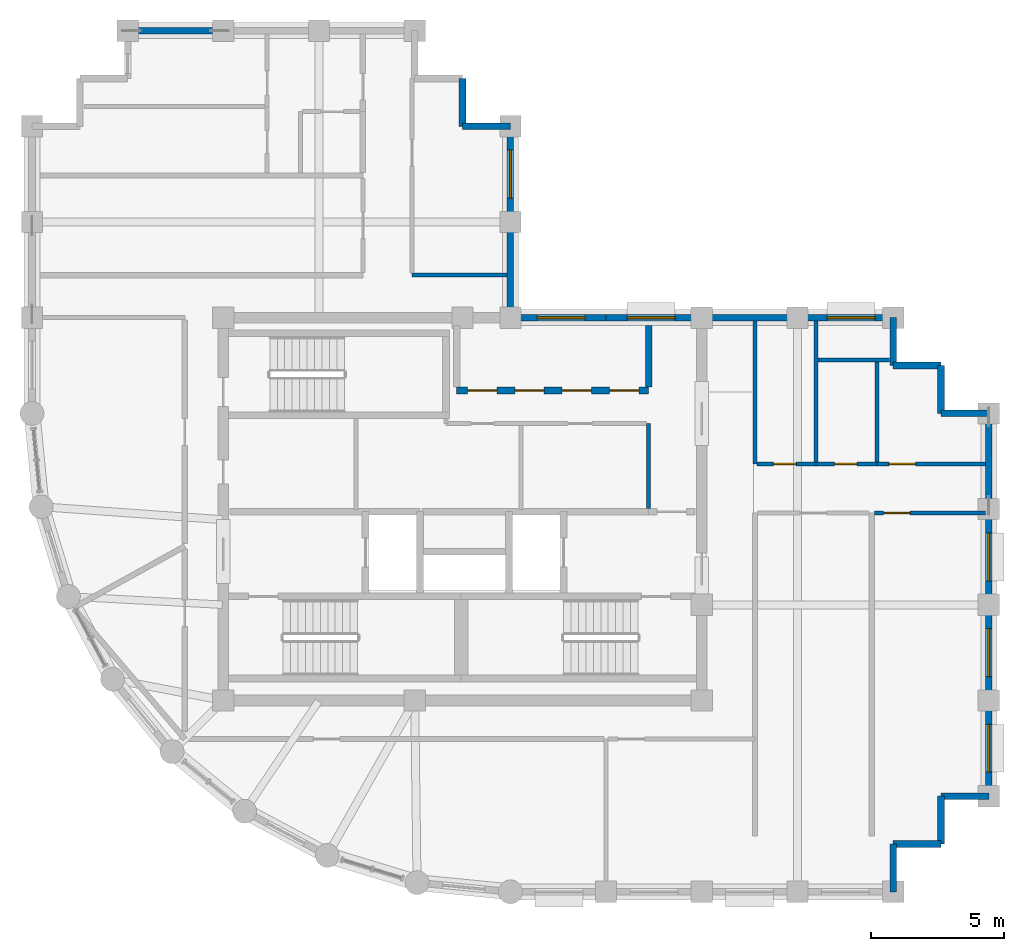
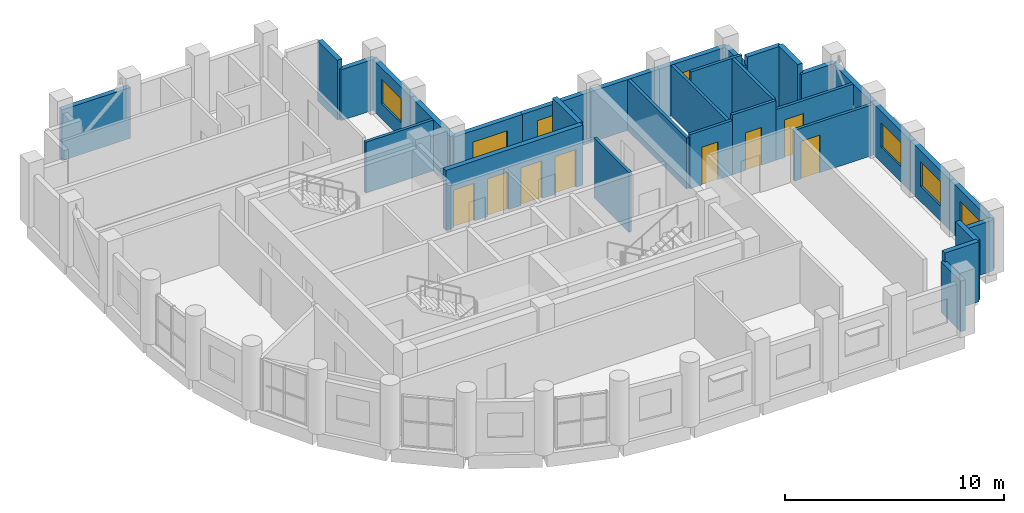
# One storey, part 9 of 11: 33 walls, 8 doors, 7 windows, 15 openings.
"""IFC4 building model written with IfcOpenShell, lengths in metres."""

from ifc_helpers import new_model, si_unit, direction, frame, frame_2d, origin, place, context, subcontext, project, spatial, rectangle, extrude, material, layer, layer_set, type_object, element, fill, save


model = new_model("IFC4")

# Units and contexts
model_context = context("Model", 3, precision=1e-05, world=origin(), true_north=direction((0.0, 1.0)))
body_context = subcontext(model_context, "Body", "Model", "MODEL_VIEW")
ifc_project = project(units=[si_unit("LENGTHUNIT", "METRE"), si_unit("AREAUNIT", "SQUARE_METRE"), si_unit("VOLUMEUNIT", "CUBIC_METRE"), si_unit("PLANEANGLEUNIT", "RADIAN"), si_unit("MASSUNIT", "GRAM", prefix="KILO")], contexts=[model_context])

# Site, building, storey
site_placement = place(None, origin())
site = spatial("IfcSite", under=ifc_project, at=site_placement, CompositionType="ELEMENT")
building_placement = place(site_placement, origin())
building = spatial("IfcBuilding", under=site, at=building_placement, Name="Solnavia Interchange Tower", CompositionType="ELEMENT")
storey_placement = place(building_placement, frame((0.0, 0.0, 273.800048828125)))
storey = spatial("IfcBuildingStorey", under=building, at=storey_placement, Name="L69", CompositionType="ELEMENT", Elevation=273.800048828125)

# Walls
ifc_material_1 = material(Name="Concrete C40/50", Category="concrete")
ifc_layer_1 = layer(ifc_material_1, 0.25)
ifc_layer_set_1 = layer_set([ifc_layer_1], Name="Concrete C40/50")
wall_type_1 = type_object("IfcWallType", Name="Wall-ExtSpandrel-250", PredefinedType="STANDARD", material=ifc_layer_set_1)
wall_1_placement = place(storey_placement, frame((39.60009765625, 5.39990234375, 0.0), z_axis=(0.0, 0.0, 1.0), x_axis=(0.0, -1.0, 0.0)))
element("IfcWall", 1, at=wall_1_placement, inside=storey, type_object=wall_type_1, Name="EXW-L69-05 Exterior precast spandrel wall", PredefinedType="STANDARD", context=body_context, shape_type="SweptSolid", body=[
    extrude(rectangle(XDim=1.7998046875, YDim=0.25, at=frame_2d((0.89990234375, 0.0))), origin(), (0.0, 0.0, 1.0), 2.829833984375),
])
wall_2_placement = place(storey_placement, frame((41.39990234375, 5.39990234375, 0.0), z_axis=(0.0, 0.0, 1.0), x_axis=(-1.0, 0.0, 0.0)))
element("IfcWall", 2, at=wall_2_placement, inside=storey, type_object=wall_type_1, Name="EXW-L69-06 Exterior precast spandrel wall", PredefinedType="STANDARD", context=body_context, shape_type="SweptSolid", body=[
    extrude(rectangle(XDim=1.7998046875, YDim=0.25, at=frame_2d((0.89990234375, 0.0))), origin(), (0.0, 0.0, 1.0), 3.3349609375),
])
wall_3_placement = place(storey_placement, frame((41.39990234375, 7.199951171875, 0.0), z_axis=(0.0, 0.0, 1.0), x_axis=(0.0, -1.0, 0.0)))
element("IfcWall", 3, at=wall_3_placement, inside=storey, type_object=wall_type_1, Name="EXW-L69-07 Exterior precast spandrel wall", PredefinedType="STANDARD", context=body_context, shape_type="SweptSolid", body=[
    extrude(rectangle(XDim=1.800048828125, YDim=0.25, at=frame_2d((0.89990234375, 0.0))), origin(), (0.0, 0.0, 1.0), 3.3349609375),
])
wall_4_placement = place(storey_placement, frame((43.199951171875, 7.199951171875, 0.0), z_axis=(0.0, 0.0, 1.0), x_axis=(-1.0, 0.0, 0.0)))
element("IfcWall", 4, at=wall_4_placement, inside=storey, type_object=wall_type_1, Name="EXW-L69-08 Exterior precast spandrel wall", PredefinedType="STANDARD", context=body_context, shape_type="SweptSolid", body=[
    extrude(rectangle(XDim=1.800048828125, YDim=0.25, at=frame_2d((0.89990234375, 0.0))), origin(), (0.0, 0.0, 1.0), 2.829833984375),
])

# Wall, opening, window
wall_5_placement = place(storey_placement, frame((43.199951171875, 10.800048828125, 0.0), z_axis=(0.0, 0.0, 1.0), x_axis=(0.0, -1.0, 0.0)))
wall_5 = element("IfcWall", 5, at=wall_5_placement, inside=storey, type_object=wall_type_1, Name="EXW-L69-09 Exterior precast spandrel wall", PredefinedType="STANDARD", context=body_context, shape_type="SweptSolid", body=[
    extrude(rectangle(XDim=3.60009765625, YDim=0.25, at=frame_2d((1.800048828125, 0.0))), origin(), (0.0, 0.0, 1.0), 2.829833984375),
])
opening_1_placement = place(wall_5_placement, frame((0.89990234375, 0.0, 0.85009765625)))
opening_1 = element("IfcOpeningElement", 6, at=opening_1_placement, cuts=wall_5, Name="Opening WIN-02", PredefinedType="OPENING", context=body_context, shape_type="SweptSolid", body=[
    extrude(rectangle(XDim=1.800048828125, YDim=1.35009765625, at=frame_2d((0.89990234375, 0.675048828125))), frame((0.0, 0.135009765625, 0.0), z_axis=(0.0, -1.0, 0.0), x_axis=(1.0, 0.0, 0.0)), (0.0, 0.0, 1.0), 0.27001953125),
])
ifc_material_2 = material(Name="Thermal-Break Aluminium & Low-E Glass", Category="aluminium")
window_type = type_object("IfcWindowType", Name="Window-Ribbon-1800x1350", PartitioningType="SINGLE_PANEL", PredefinedType="WINDOW", material=ifc_material_2)
window_1_placement = place(opening_1_placement, origin())
window_1 = element("IfcWindow", 7, at=window_1_placement, inside=storey, type_object=window_type, Name="WIN-L69-09 Facade ribbon window", OverallHeight=1.35009765625, OverallWidth=1.800048828125, PartitioningType="SINGLE_PANEL", PredefinedType="WINDOW", context=body_context, shape_type="SweptSolid", body=[
    extrude(rectangle(XDim=1.800048828125, YDim=1.35009765625, at=frame_2d((0.89990234375, 0.675048828125))), frame((0.0, 0.030029296875, 0.0), z_axis=(0.0, -1.0, 0.0), x_axis=(1.0, 0.0, 0.0)), (0.0, 0.0, 1.0), 0.06005859375),
])
fill(opening_1, window_1)

wall_6_placement = place(storey_placement, frame((43.199951171875, 14.39990234375, 0.0), z_axis=(0.0, 0.0, 1.0), x_axis=(0.0, -1.0, 0.0)))
wall_6 = element("IfcWall", 8, at=wall_6_placement, inside=storey, type_object=wall_type_1, Name="EXW-L69-10 Exterior precast spandrel wall", PredefinedType="STANDARD", context=body_context, shape_type="SweptSolid", body=[
    extrude(rectangle(XDim=3.599853515625, YDim=0.25, at=frame_2d((1.7998046875, 0.0))), origin(), (0.0, 0.0, 1.0), 2.829833984375),
])
opening_2_placement = place(wall_6_placement, frame((0.89990234375, 0.0, 0.85009765625)))
opening_2 = element("IfcOpeningElement", 9, at=opening_2_placement, cuts=wall_6, Name="Opening WIN-02", PredefinedType="OPENING", context=body_context, shape_type="SweptSolid", body=[
    extrude(rectangle(XDim=1.800048828125, YDim=1.35009765625, at=frame_2d((0.89990234375, 0.675048828125))), frame((0.0, 0.135009765625, 0.0), z_axis=(0.0, -1.0, 0.0), x_axis=(1.0, 0.0, 0.0)), (0.0, 0.0, 1.0), 0.27001953125),
])
window_2_placement = place(opening_2_placement, origin())
window_2 = element("IfcWindow", 10, at=window_2_placement, inside=storey, type_object=window_type, Name="WIN-L69-10 Facade ribbon window", OverallHeight=1.35009765625, OverallWidth=1.800048828125, PartitioningType="SINGLE_PANEL", PredefinedType="WINDOW", context=body_context, shape_type="SweptSolid", body=[
    extrude(rectangle(XDim=1.800048828125, YDim=1.35009765625, at=frame_2d((0.89990234375, 0.675048828125))), frame((0.0, 0.030029296875, 0.0), z_axis=(0.0, -1.0, 0.0), x_axis=(1.0, 0.0, 0.0)), (0.0, 0.0, 1.0), 0.06005859375),
])
fill(opening_2, window_2)

wall_7_placement = place(storey_placement, frame((43.199951171875, 18.0, 0.0), z_axis=(0.0, 0.0, 1.0), x_axis=(0.0, -1.0, 0.0)))
wall_7 = element("IfcWall", 11, at=wall_7_placement, inside=storey, type_object=wall_type_1, Name="EXW-L69-11 Exterior precast spandrel wall", PredefinedType="STANDARD", context=body_context, shape_type="SweptSolid", body=[
    extrude(rectangle(XDim=3.60009765625, YDim=0.25, at=frame_2d((1.800048828125, 0.0))), origin(), (0.0, 0.0, 1.0), 2.829833984375),
])
opening_3_placement = place(wall_7_placement, frame((0.89990234375, 0.0, 0.85009765625)))
opening_3 = element("IfcOpeningElement", 12, at=opening_3_placement, cuts=wall_7, Name="Opening WIN-02", PredefinedType="OPENING", context=body_context, shape_type="SweptSolid", body=[
    extrude(rectangle(XDim=1.800048828125, YDim=1.35009765625, at=frame_2d((0.89990234375, 0.675048828125))), frame((0.0, 0.135009765625, 0.0), z_axis=(0.0, -1.0, 0.0), x_axis=(1.0, 0.0, 0.0)), (0.0, 0.0, 1.0), 0.27001953125),
])
window_3_placement = place(opening_3_placement, origin())
window_3 = element("IfcWindow", 13, at=window_3_placement, inside=storey, type_object=window_type, Name="WIN-L69-11 Facade ribbon window", OverallHeight=1.35009765625, OverallWidth=1.800048828125, PartitioningType="SINGLE_PANEL", PredefinedType="WINDOW", context=body_context, shape_type="SweptSolid", body=[
    extrude(rectangle(XDim=1.800048828125, YDim=1.35009765625, at=frame_2d((0.89990234375, 0.675048828125))), frame((0.0, 0.030029296875, 0.0), z_axis=(0.0, -1.0, 0.0), x_axis=(1.0, 0.0, 0.0)), (0.0, 0.0, 1.0), 0.06005859375),
])
fill(opening_3, window_3)

# Walls
wall_8_placement = place(storey_placement, frame((43.199951171875, 21.60009765625, 0.0), z_axis=(0.0, 0.0, 1.0), x_axis=(0.0, -1.0, 0.0)))
element("IfcWall", 14, at=wall_8_placement, inside=storey, type_object=wall_type_1, Name="EXW-L69-12 Exterior precast spandrel wall", PredefinedType="STANDARD", context=body_context, shape_type="SweptSolid", body=[
    extrude(rectangle(XDim=3.60009765625, YDim=0.25, at=frame_2d((1.800048828125, 0.0))), origin(), (0.0, 0.0, 1.0), 2.829833984375),
])
wall_9_placement = place(storey_placement, frame((41.39990234375, 21.60009765625, 0.0), z_axis=(0.0, 0.0, 1.0), x_axis=(1.0, 0.0, 0.0)))
element("IfcWall", 15, at=wall_9_placement, inside=storey, type_object=wall_type_1, Name="EXW-L69-13 Exterior precast spandrel wall", PredefinedType="STANDARD", context=body_context, shape_type="SweptSolid", body=[
    extrude(rectangle(XDim=1.800048828125, YDim=0.25, at=frame_2d((0.89990234375, 0.0))), origin(), (0.0, 0.0, 1.0), 2.829833984375),
])
for number, where, z_axis, x_axis, name in (
    (16, (41.39990234375, 23.39990234375, 0.0), (0.0, 0.0, 1.0), (0.0, -1.0, 0.0), "EXW-L69-14 Exterior precast spandrel wall"),
    (17, (39.60009765625, 23.39990234375, 0.0), (0.0, 0.0, 1.0), (1.0, 0.0, 0.0), "EXW-L69-15 Exterior precast spandrel wall"),
):
    element("IfcWall", number, at=place(storey_placement, frame(where, z_axis=z_axis, x_axis=x_axis)), inside=storey, type_object=wall_type_1, Name=name, PredefinedType="STANDARD", context=body_context, shape_type="SweptSolid", body=[
        extrude(rectangle(XDim=1.7998046875, YDim=0.25, at=frame_2d((0.89990234375, 0.0))), origin(), (0.0, 0.0, 1.0), 3.3349609375),
    ])
wall_10_placement = place(storey_placement, frame((39.60009765625, 25.199951171875, 0.0), z_axis=(0.0, 0.0, 1.0), x_axis=(0.0, -1.0, 0.0)))
element("IfcWall", 18, at=wall_10_placement, inside=storey, type_object=wall_type_1, Name="EXW-L69-16 Exterior precast spandrel wall", PredefinedType="STANDARD", context=body_context, shape_type="SweptSolid", body=[
    extrude(rectangle(XDim=1.800048828125, YDim=0.25, at=frame_2d((0.89990234375, 0.0))), origin(), (0.0, 0.0, 1.0), 2.829833984375),
])

# Wall, opening, window
wall_11_placement = place(storey_placement, frame((36.0, 25.199951171875, 0.0), z_axis=(0.0, 0.0, 1.0), x_axis=(1.0, 0.0, 0.0)))
wall_11 = element("IfcWall", 19, at=wall_11_placement, inside=storey, type_object=wall_type_1, Name="EXW-L69-17 Exterior precast spandrel wall", PredefinedType="STANDARD", context=body_context, shape_type="SweptSolid", body=[
    extrude(rectangle(XDim=3.60009765625, YDim=0.25, at=frame_2d((1.800048828125, 0.0))), origin(), (0.0, 0.0, 1.0), 2.829833984375),
])
opening_4_placement = place(wall_11_placement, frame((1.1201171875, 0.0, 0.85009765625)))
opening_4 = element("IfcOpeningElement", 20, at=opening_4_placement, cuts=wall_11, Name="Opening WIN-02", PredefinedType="OPENING", context=body_context, shape_type="SweptSolid", body=[
    extrude(rectangle(XDim=1.800048828125, YDim=1.35009765625, at=frame_2d((0.89990234375, 0.675048828125))), frame((0.0, 0.135009765625, 0.0), z_axis=(0.0, -1.0, 0.0), x_axis=(1.0, 0.0, 0.0)), (0.0, 0.0, 1.0), 0.27001953125),
])
window_4_placement = place(opening_4_placement, origin())
window_4 = element("IfcWindow", 21, at=window_4_placement, inside=storey, type_object=window_type, Name="WIN-L69-17 Facade ribbon window", OverallHeight=1.35009765625, OverallWidth=1.800048828125, PartitioningType="SINGLE_PANEL", PredefinedType="WINDOW", context=body_context, shape_type="SweptSolid", body=[
    extrude(rectangle(XDim=1.800048828125, YDim=1.35009765625, at=frame_2d((0.89990234375, 0.675048828125))), frame((0.0, 0.030029296875, 0.0), z_axis=(0.0, -1.0, 0.0), x_axis=(1.0, 0.0, 0.0)), (0.0, 0.0, 1.0), 0.06005859375),
])
fill(opening_4, window_4)

# Wall
wall_12_placement = place(storey_placement, frame((32.39990234375, 25.199951171875, 0.0), z_axis=(0.0, 0.0, 1.0), x_axis=(1.0, 0.0, 0.0)))
element("IfcWall", 22, at=wall_12_placement, inside=storey, type_object=wall_type_1, Name="EXW-L69-18 Exterior precast spandrel wall", PredefinedType="STANDARD", context=body_context, shape_type="SweptSolid", body=[
    extrude(rectangle(XDim=3.60009765625, YDim=0.25, at=frame_2d((1.800048828125, 0.0))), origin(), (0.0, 0.0, 1.0), 2.829833984375),
])

# Wall, opening, window
wall_13_placement = place(storey_placement, frame((28.800048828125, 25.199951171875, 0.0), z_axis=(0.0, 0.0, 1.0), x_axis=(1.0, 0.0, 0.0)))
wall_13 = element("IfcWall", 23, at=wall_13_placement, inside=storey, type_object=wall_type_1, Name="EXW-L69-19 Exterior precast spandrel wall", PredefinedType="STANDARD", context=body_context, shape_type="SweptSolid", body=[
    extrude(rectangle(XDim=3.599853515625, YDim=0.25, at=frame_2d((1.7998046875, 0.0))), origin(), (0.0, 0.0, 1.0), 2.829833984375),
])
opening_5_placement = place(wall_13_placement, frame((0.794921875, 0.0, 0.85009765625)))
opening_5 = element("IfcOpeningElement", 24, at=opening_5_placement, cuts=wall_13, Name="Opening WIN-02", PredefinedType="OPENING", context=body_context, shape_type="SweptSolid", body=[
    extrude(rectangle(XDim=1.800048828125, YDim=1.35009765625, at=frame_2d((0.89990234375, 0.675048828125))), frame((0.0, 0.135009765625, 0.0), z_axis=(0.0, -1.0, 0.0), x_axis=(1.0, 0.0, 0.0)), (0.0, 0.0, 1.0), 0.27001953125),
])
window_5_placement = place(opening_5_placement, origin())
window_5 = element("IfcWindow", 25, at=window_5_placement, inside=storey, type_object=window_type, Name="WIN-L69-19 Facade ribbon window", OverallHeight=1.35009765625, OverallWidth=1.800048828125, PartitioningType="SINGLE_PANEL", PredefinedType="WINDOW", context=body_context, shape_type="SweptSolid", body=[
    extrude(rectangle(XDim=1.800048828125, YDim=1.35009765625, at=frame_2d((0.89990234375, 0.675048828125))), frame((0.0, 0.030029296875, 0.0), z_axis=(0.0, -1.0, 0.0), x_axis=(1.0, 0.0, 0.0)), (0.0, 0.0, 1.0), 0.06005859375),
])
fill(opening_5, window_5)

wall_14_placement = place(storey_placement, frame((25.199951171875, 25.199951171875, 0.0), z_axis=(0.0, 0.0, 1.0), x_axis=(1.0, 0.0, 0.0)))
wall_14 = element("IfcWall", 26, at=wall_14_placement, inside=storey, type_object=wall_type_1, Name="EXW-L69-20 Exterior precast spandrel wall", PredefinedType="STANDARD", context=body_context, shape_type="SweptSolid", body=[
    extrude(rectangle(XDim=3.60009765625, YDim=0.25, at=frame_2d((1.800048828125, 0.0))), origin(), (0.0, 0.0, 1.0), 2.829833984375),
])
opening_6_placement = place(wall_14_placement, frame((1.0048828125, 0.0, 0.85009765625)))
opening_6 = element("IfcOpeningElement", 27, at=opening_6_placement, cuts=wall_14, Name="Opening WIN-02", PredefinedType="OPENING", context=body_context, shape_type="SweptSolid", body=[
    extrude(rectangle(XDim=1.800048828125, YDim=1.35009765625, at=frame_2d((0.89990234375, 0.675048828125))), frame((0.0, 0.135009765625, 0.0), z_axis=(0.0, -1.0, 0.0), x_axis=(1.0, 0.0, 0.0)), (0.0, 0.0, 1.0), 0.27001953125),
])
window_6_placement = place(opening_6_placement, origin())
window_6 = element("IfcWindow", 28, at=window_6_placement, inside=storey, type_object=window_type, Name="WIN-L69-20 Facade ribbon window", OverallHeight=1.35009765625, OverallWidth=1.800048828125, PartitioningType="SINGLE_PANEL", PredefinedType="WINDOW", context=body_context, shape_type="SweptSolid", body=[
    extrude(rectangle(XDim=1.800048828125, YDim=1.35009765625, at=frame_2d((0.89990234375, 0.675048828125))), frame((0.0, 0.030029296875, 0.0), z_axis=(0.0, -1.0, 0.0), x_axis=(1.0, 0.0, 0.0)), (0.0, 0.0, 1.0), 0.06005859375),
])
fill(opening_6, window_6)

# Wall
wall_15_placement = place(storey_placement, frame((25.199951171875, 28.800048828125, 0.0), z_axis=(0.0, 0.0, 1.0), x_axis=(0.0, -1.0, 0.0)))
element("IfcWall", 29, at=wall_15_placement, inside=storey, type_object=wall_type_1, Name="EXW-L69-21 Exterior precast spandrel wall", PredefinedType="STANDARD", context=body_context, shape_type="SweptSolid", body=[
    extrude(rectangle(XDim=3.60009765625, YDim=0.25, at=frame_2d((1.800048828125, 0.0))), origin(), (0.0, 0.0, 1.0), 2.829833984375),
])

# Wall, opening, window
wall_16_placement = place(storey_placement, frame((25.199951171875, 32.39990234375, 0.0), z_axis=(0.0, 0.0, 1.0), x_axis=(0.0, -1.0, 0.0)))
wall_16 = element("IfcWall", 30, at=wall_16_placement, inside=storey, type_object=wall_type_1, Name="EXW-L69-22 Exterior precast spandrel wall", PredefinedType="STANDARD", context=body_context, shape_type="SweptSolid", body=[
    extrude(rectangle(XDim=3.599853515625, YDim=0.25, at=frame_2d((1.7998046875, 0.0))), origin(), (0.0, 0.0, 1.0), 2.829833984375),
])
opening_7_placement = place(wall_16_placement, frame((0.89990234375, 0.0, 0.85009765625)))
opening_7 = element("IfcOpeningElement", 31, at=opening_7_placement, cuts=wall_16, Name="Opening WIN-02", PredefinedType="OPENING", context=body_context, shape_type="SweptSolid", body=[
    extrude(rectangle(XDim=1.800048828125, YDim=1.35009765625, at=frame_2d((0.89990234375, 0.675048828125))), frame((0.0, 0.135009765625, 0.0), z_axis=(0.0, -1.0, 0.0), x_axis=(1.0, 0.0, 0.0)), (0.0, 0.0, 1.0), 0.27001953125),
])
window_7_placement = place(opening_7_placement, origin())
window_7 = element("IfcWindow", 32, at=window_7_placement, inside=storey, type_object=window_type, Name="WIN-L69-22 Facade ribbon window", OverallHeight=1.35009765625, OverallWidth=1.800048828125, PartitioningType="SINGLE_PANEL", PredefinedType="WINDOW", context=body_context, shape_type="SweptSolid", body=[
    extrude(rectangle(XDim=1.800048828125, YDim=1.35009765625, at=frame_2d((0.89990234375, 0.675048828125))), frame((0.0, 0.030029296875, 0.0), z_axis=(0.0, -1.0, 0.0), x_axis=(1.0, 0.0, 0.0)), (0.0, 0.0, 1.0), 0.06005859375),
])
fill(opening_7, window_7)

# Walls
wall_17_placement = place(storey_placement, frame((23.39990234375, 32.39990234375, 0.0), z_axis=(0.0, 0.0, 1.0), x_axis=(1.0, 0.0, 0.0)))
element("IfcWall", 33, at=wall_17_placement, inside=storey, type_object=wall_type_1, Name="EXW-L69-23 Exterior precast spandrel wall", PredefinedType="STANDARD", context=body_context, shape_type="SweptSolid", body=[
    extrude(rectangle(XDim=1.800048828125, YDim=0.25, at=frame_2d((0.89990234375, 0.0))), origin(), (0.0, 0.0, 1.0), 2.829833984375),
])
wall_18_placement = place(storey_placement, frame((23.39990234375, 32.39990234375, 0.0), z_axis=(0.0, 0.0, 1.0), x_axis=(0.0, 1.0, 0.0)))
element("IfcWall", 34, at=wall_18_placement, inside=storey, type_object=wall_type_1, Name="EXW-L69-24 Exterior precast spandrel wall", PredefinedType="STANDARD", context=body_context, shape_type="SweptSolid", body=[
    extrude(rectangle(XDim=1.800048828125, YDim=0.25, at=frame_2d((0.89990234375, 0.0))), origin(), (0.0, 0.0, 1.0), 3.3349609375),
])
wall_19_placement = place(storey_placement, frame((10.800048828125, 36.0, 0.0), z_axis=(0.0, 0.0, 1.0), x_axis=(1.0, 0.0, 0.0)))
element("IfcWall", 35, at=wall_19_placement, inside=storey, type_object=wall_type_1, Name="EXW-L69-29 Exterior precast spandrel wall", PredefinedType="STANDARD", context=body_context, shape_type="SweptSolid", body=[
    extrude(rectangle(XDim=3.599853515625, YDim=0.25, at=frame_2d((1.7998046875, 0.0))), origin(), (0.0, 0.0, 1.0), 2.829833984375),
])
ifc_material_3 = material(Name="Gypsum Plasterboard & Steel Stud", Category="steel")
ifc_layer_2 = layer(ifc_material_3, 0.14990234375)
ifc_layer_set_2 = layer_set([ifc_layer_2], Name="Gypsum Plasterboard & Steel Stud")
wall_type_2 = type_object("IfcWallType", Name="Wall-Partition-150", PredefinedType="PARTITIONING", material=ifc_layer_set_2)
wall_20_placement = place(storey_placement, frame((30.39990234375, 18.02001953125, 0.0), z_axis=(0.0, 0.0, 1.0), x_axis=(0.0, 1.0, 0.0)))
element("IfcWall", 36, at=wall_20_placement, inside=storey, type_object=wall_type_2, Name="CSW-L69-E-E Core shaft wall", PredefinedType="PARTITIONING", context=body_context, shape_type="SweptSolid", body=[
    extrude(rectangle(XDim=3.199951171875, YDim=0.14990234375, at=frame_2d((1.60009765625, 0.0))), origin(), (0.0, 0.0, 1.0), 3.3349609375),
])

# Wall, opening, door
wall_21_placement = place(storey_placement, frame((38.904052734375, 17.85009765625, 0.0), z_axis=(0.0, 0.0, 1.0), x_axis=(1.0, 0.0, 0.0)))
wall_21 = element("IfcWall", 37, at=wall_21_placement, inside=storey, type_object=wall_type_2, Name="PTW-L69-18 Interior partition wall", PredefinedType="PARTITIONING", context=body_context, shape_type="SweptSolid", body=[
    extrude(rectangle(XDim=4.1669921875, YDim=0.14990234375, at=frame_2d((2.08349609375, 0.0))), origin(), (0.0, 0.0, 1.0), 2.829833984375),
])
opening_8_placement = place(wall_21_placement, frame((0.3349609375, 0.0, 0.0)))
opening_8 = element("IfcOpeningElement", 38, at=opening_8_placement, cuts=wall_21, Name="Opening DR-07", PredefinedType="OPENING", context=body_context, shape_type="SweptSolid", body=[
    extrude(rectangle(XDim=1.0, YDim=2.10009765625, at=frame_2d((0.5, 1.050048828125))), frame((0.0, 0.0849609375, 0.0), z_axis=(0.0, -1.0, 0.0), x_axis=(1.0, 0.0, 0.0)), (0.0, 0.0, 1.0), 0.169921875),
])
ifc_material_4 = material(Name="Timber & Acoustic Glazed Office Door", Category="wood")
door_type_1 = type_object("IfcDoorType", Name="Door-Office-1000x2100", OperationType="SINGLE_SWING_RIGHT", PredefinedType="DOOR", material=ifc_material_4)
door_1_placement = place(opening_8_placement, origin())
door_1 = element("IfcDoor", 39, at=door_1_placement, inside=storey, type_object=door_type_1, Name="DR-L69-08 Interior room door", OperationType="SINGLE_SWING_RIGHT", OverallHeight=2.10009765625, OverallWidth=1.0, PredefinedType="DOOR", context=body_context, shape_type="SweptSolid", body=[
    extrude(rectangle(XDim=1.0, YDim=2.10009765625, at=frame_2d((0.5, 1.050048828125))), frame((0.0, 0.02490234375, 0.0), z_axis=(0.0, -1.0, 0.0), x_axis=(1.0, 0.0, 0.0)), (0.0, 0.0, 1.0), 0.050048828125),
])
fill(opening_8, door_1)

wall_22_placement = place(storey_placement, frame((39.0, 19.699951171875, 0.0), z_axis=(0.0, 0.0, 1.0), x_axis=(1.0, 0.0, 0.0)))
wall_22 = element("IfcWall", 40, at=wall_22_placement, inside=storey, type_object=wall_type_2, Name="PTW-L69-19 Interior partition wall", PredefinedType="PARTITIONING", context=body_context, shape_type="SweptSolid", body=[
    extrude(rectangle(XDim=4.071044921875, YDim=0.14990234375, at=frame_2d((2.03564453125, 0.0))), origin(), (0.0, 0.0, 1.0), 2.829833984375),
])
opening_9_placement = place(wall_22_placement, frame((0.43798828125, 0.0, 0.0)))
opening_9 = element("IfcOpeningElement", 41, at=opening_9_placement, cuts=wall_22, Name="Opening DR-07", PredefinedType="OPENING", context=body_context, shape_type="SweptSolid", body=[
    extrude(rectangle(XDim=1.0, YDim=2.10009765625, at=frame_2d((0.5, 1.050048828125))), frame((0.0, 0.0849609375, 0.0), z_axis=(0.0, -1.0, 0.0), x_axis=(1.0, 0.0, 0.0)), (0.0, 0.0, 1.0), 0.169921875),
])
door_2_placement = place(opening_9_placement, origin())
door_2 = element("IfcDoor", 42, at=door_2_placement, inside=storey, type_object=door_type_1, Name="DR-L69-09 Interior room door", OperationType="SINGLE_SWING_RIGHT", OverallHeight=2.10009765625, OverallWidth=1.0, PredefinedType="DOOR", context=body_context, shape_type="SweptSolid", body=[
    extrude(rectangle(XDim=1.0, YDim=2.10009765625, at=frame_2d((0.5, 1.050048828125))), frame((0.0, 0.02490234375, 0.0), z_axis=(0.0, -1.0, 0.0), x_axis=(1.0, 0.0, 0.0)), (0.0, 0.0, 1.0), 0.050048828125),
])
fill(opening_9, door_2)

# Wall
wall_23_placement = place(storey_placement, frame((21.5, 26.800048828125, 0.0), z_axis=(0.0, 0.0, 1.0), x_axis=(1.0, 0.0, 0.0)))
element("IfcWall", 43, at=wall_23_placement, inside=storey, type_object=wall_type_2, Name="PTW-L69-30 Interior partition wall", PredefinedType="PARTITIONING", context=body_context, shape_type="SweptSolid", body=[
    extrude(rectangle(XDim=3.571044921875, YDim=0.14990234375, at=frame_2d((1.78564453125, 0.0))), origin(), (0.0, 0.0, 1.0), 2.829833984375),
])

# Wall, openings, doors
ifc_layer_3 = layer(ifc_material_1, 0.25)
ifc_layer_set_3 = layer_set([ifc_layer_3], Name="Concrete C40/50")
wall_type_3 = type_object("IfcWallType", Name="Wall-ShaftPart-250", PredefinedType="PARTITIONING", material=ifc_layer_set_3)
wall_24_placement = place(storey_placement, frame((23.179931640625, 22.4599609375, 0.0), z_axis=(0.0, 0.0, 1.0), x_axis=(1.0, 0.0, 0.0)))
wall_24 = element("IfcWall", 44, at=wall_24_placement, inside=storey, type_object=wall_type_3, Name="SHW-L69-B3S Core shaft wall", PredefinedType="PARTITIONING", context=body_context, shape_type="SweptSolid", body=[
    extrude(rectangle(XDim=7.219970703125, YDim=0.25, at=frame_2d((3.60986328125, 0.0))), origin(), (0.0, 0.0, 1.0), 3.3349609375),
])
opening_10_placement = place(wall_24_placement, frame((0.409912109375, 0.0, 0.0)))
opening_10 = element("IfcOpeningElement", 45, at=opening_10_placement, cuts=wall_24, Name="Opening LD-01", PredefinedType="OPENING", context=body_context, shape_type="SweptSolid", body=[
    extrude(rectangle(XDim=1.10009765625, YDim=2.10009765625, at=frame_2d((0.550048828125, 1.050048828125))), frame((0.0, 0.135009765625, 0.0), z_axis=(0.0, -1.0, 0.0), x_axis=(1.0, 0.0, 0.0)), (0.0, 0.0, 1.0), 0.27001953125),
])
opening_11_placement = place(wall_24_placement, frame((2.18994140625, 0.0, 0.0)))
opening_11 = element("IfcOpeningElement", 46, at=opening_11_placement, cuts=wall_24, Name="Opening LD-01", PredefinedType="OPENING", context=body_context, shape_type="SweptSolid", body=[
    extrude(rectangle(XDim=1.10009765625, YDim=2.10009765625, at=frame_2d((0.550048828125, 1.050048828125))), frame((0.0, 0.135009765625, 0.0), z_axis=(0.0, -1.0, 0.0), x_axis=(1.0, 0.0, 0.0)), (0.0, 0.0, 1.0), 0.27001953125),
])
opening_12_placement = place(wall_24_placement, frame((3.969970703125, 0.0, 0.0)))
opening_12 = element("IfcOpeningElement", 47, at=opening_12_placement, cuts=wall_24, Name="Opening LD-01", PredefinedType="OPENING", context=body_context, shape_type="SweptSolid", body=[
    extrude(rectangle(XDim=1.10009765625, YDim=2.10009765625, at=frame_2d((0.550048828125, 1.050048828125))), frame((0.0, 0.135009765625, 0.0), z_axis=(0.0, -1.0, 0.0), x_axis=(1.0, 0.0, 0.0)), (0.0, 0.0, 1.0), 0.27001953125),
])
opening_13_placement = place(wall_24_placement, frame((5.75, 0.0, 0.0)))
opening_13 = element("IfcOpeningElement", 48, at=opening_13_placement, cuts=wall_24, Name="Opening LD-01", PredefinedType="OPENING", context=body_context, shape_type="SweptSolid", body=[
    extrude(rectangle(XDim=1.10009765625, YDim=2.10009765625, at=frame_2d((0.550048828125, 1.050048828125))), frame((0.0, 0.135009765625, 0.0), z_axis=(0.0, -1.0, 0.0), x_axis=(1.0, 0.0, 0.0)), (0.0, 0.0, 1.0), 0.27001953125),
])
ifc_material_5 = material(Name="Brushed Stainless Steel Sliding Door", Category="steel")
door_type_2 = type_object("IfcDoorType", Name="Door-LiftLanding-1100x2100", OperationType="SLIDING_TO_LEFT", PredefinedType="DOOR", material=ifc_material_5)
door_3_placement = place(opening_10_placement, origin())
door_3 = element("IfcDoor", 49, at=door_3_placement, inside=storey, type_object=door_type_2, Name="LD-L69-B3-1 Lift landing sliding door", OperationType="SLIDING_TO_LEFT", OverallHeight=2.10009765625, OverallWidth=1.10009765625, PredefinedType="DOOR", context=body_context, shape_type="SweptSolid", body=[
    extrude(rectangle(XDim=1.10009765625, YDim=2.10009765625, at=frame_2d((0.550048828125, 1.050048828125))), frame((0.0, 0.02490234375, 0.0), z_axis=(0.0, -1.0, 0.0), x_axis=(1.0, 0.0, 0.0)), (0.0, 0.0, 1.0), 0.050048828125),
])
fill(opening_10, door_3)
door_4_placement = place(opening_11_placement, origin())
door_4 = element("IfcDoor", 50, at=door_4_placement, inside=storey, type_object=door_type_2, Name="LD-L69-B3-2 Lift landing sliding door", OperationType="SLIDING_TO_LEFT", OverallHeight=2.10009765625, OverallWidth=1.10009765625, PredefinedType="DOOR", context=body_context, shape_type="SweptSolid", body=[
    extrude(rectangle(XDim=1.10009765625, YDim=2.10009765625, at=frame_2d((0.550048828125, 1.050048828125))), frame((0.0, 0.02490234375, 0.0), z_axis=(0.0, -1.0, 0.0), x_axis=(1.0, 0.0, 0.0)), (0.0, 0.0, 1.0), 0.050048828125),
])
fill(opening_11, door_4)
door_5_placement = place(opening_12_placement, origin())
door_5 = element("IfcDoor", 51, at=door_5_placement, inside=storey, type_object=door_type_2, Name="LD-L69-B3-3 Lift landing sliding door", OperationType="SLIDING_TO_LEFT", OverallHeight=2.10009765625, OverallWidth=1.10009765625, PredefinedType="DOOR", context=body_context, shape_type="SweptSolid", body=[
    extrude(rectangle(XDim=1.10009765625, YDim=2.10009765625, at=frame_2d((0.550048828125, 1.050048828125))), frame((0.0, 0.02490234375, 0.0), z_axis=(0.0, -1.0, 0.0), x_axis=(1.0, 0.0, 0.0)), (0.0, 0.0, 1.0), 0.050048828125),
])
fill(opening_12, door_5)
door_6_placement = place(opening_13_placement, origin())
door_6 = element("IfcDoor", 52, at=door_6_placement, inside=storey, type_object=door_type_2, Name="LD-L69-B3-4 Lift landing sliding door", OperationType="SLIDING_TO_LEFT", OverallHeight=2.10009765625, OverallWidth=1.10009765625, PredefinedType="DOOR", context=body_context, shape_type="SweptSolid", body=[
    extrude(rectangle(XDim=1.10009765625, YDim=2.10009765625, at=frame_2d((0.550048828125, 1.050048828125))), frame((0.0, 0.02490234375, 0.0), z_axis=(0.0, -1.0, 0.0), x_axis=(1.0, 0.0, 0.0)), (0.0, 0.0, 1.0), 0.050048828125),
])
fill(opening_13, door_6)

# Walls
wall_25_placement = place(storey_placement, frame((30.39990234375, 22.5849609375, 0.0), z_axis=(0.0, 0.0, 1.0), x_axis=(0.0, 1.0, 0.0)))
element("IfcWall", 53, at=wall_25_placement, inside=storey, type_object=wall_type_3, Name="SHW-L69-B3E Core shaft wall", PredefinedType="PARTITIONING", context=body_context, shape_type="SweptSolid", body=[
    extrude(rectangle(XDim=2.31494140625, YDim=0.25, at=frame_2d((1.157470703125, 0.0))), origin(), (0.0, 0.0, 1.0), 3.3349609375),
])
ifc_material_6 = material(Name="Moisture-Resistant Gypsum & Steel Stud", Category="steel")
ifc_layer_4 = layer(ifc_material_6, 0.14990234375)
ifc_layer_set_4 = layer_set([ifc_layer_4], Name="Moisture-Resistant Gypsum & Steel Stud")
wall_type_4 = type_object("IfcWallType", Name="Wall-WetRoom-150", PredefinedType="PARTITIONING", material=ifc_layer_set_4)
wall_26_placement = place(storey_placement, frame((34.39990234375, 19.699951171875, 0.0), z_axis=(0.0, 0.0, 1.0), x_axis=(0.0, 1.0, 0.0)))
element("IfcWall", 54, at=wall_26_placement, inside=storey, type_object=wall_type_4, Name="PTW-L69-01 Interior partition wall", PredefinedType="PARTITIONING", context=body_context, shape_type="SweptSolid", body=[
    extrude(rectangle(XDim=5.37109375, YDim=0.14990234375, at=frame_2d((2.685546875, 0.0))), origin(), (0.0, 0.0, 1.0), 2.829833984375),
])

# Wall, opening, door
wall_27_placement = place(storey_placement, frame((34.47900390625, 19.699951171875, 0.0), z_axis=(0.0, 0.0, 1.0), x_axis=(1.0, 0.0, 0.0)))
wall_27 = element("IfcWall", 55, at=wall_27_placement, inside=storey, type_object=wall_type_4, Name="PTW-L69-02 Interior partition wall", PredefinedType="PARTITIONING", context=body_context, shape_type="SweptSolid", body=[
    extrude(rectangle(XDim=2.220947265625, YDim=0.14990234375, at=frame_2d((1.1103515625, 0.0))), origin(), (0.0, 0.0, 1.0), 3.02001953125),
])
opening_14_placement = place(wall_27_placement, frame((0.617919921875, 0.0, 0.0)))
opening_14 = element("IfcOpeningElement", 56, at=opening_14_placement, cuts=wall_27, Name="Opening DR-10", PredefinedType="OPENING", context=body_context, shape_type="SweptSolid", body=[
    extrude(rectangle(XDim=0.85009765625, YDim=2.10009765625, at=frame_2d((0.425048828125, 1.050048828125))), frame((0.0, 0.0849609375, 0.0), z_axis=(0.0, -1.0, 0.0), x_axis=(1.0, 0.0, 0.0)), (0.0, 0.0, 1.0), 0.169921875),
])
ifc_material_7 = material(Name="Moisture-Resistant Timber Door", Category="wood")
door_type_3 = type_object("IfcDoorType", Name="Door-Bathroom-850x2100", OperationType="SINGLE_SWING_RIGHT", PredefinedType="DOOR", material=ifc_material_7)
door_7_placement = place(opening_14_placement, origin())
door_7 = element("IfcDoor", 57, at=door_7_placement, inside=storey, type_object=door_type_3, Name="DR-L69-01 Interior room door", OperationType="SINGLE_SWING_LEFT", OverallHeight=2.10009765625, OverallWidth=0.85009765625, PredefinedType="DOOR", context=body_context, shape_type="SweptSolid", body=[
    extrude(rectangle(XDim=0.85009765625, YDim=2.10009765625, at=frame_2d((0.425048828125, 1.050048828125))), frame((0.0, 0.02490234375, 0.0), z_axis=(0.0, -1.0, 0.0), x_axis=(1.0, 0.0, 0.0)), (0.0, 0.0, 1.0), 0.050048828125),
])
fill(opening_14, door_7)

# Wall
wall_28_placement = place(storey_placement, frame((36.699951171875, 19.779052734375, 0.0), z_axis=(0.0, 0.0, 1.0), x_axis=(0.0, 1.0, 0.0)))
element("IfcWall", 58, at=wall_28_placement, inside=storey, type_object=wall_type_4, Name="PTW-L69-03 Interior partition wall", PredefinedType="PARTITIONING", context=body_context, shape_type="SweptSolid", body=[
    extrude(rectangle(XDim=5.2919921875, YDim=0.14990234375, at=frame_2d((2.64599609375, 0.0))), origin(), (0.0, 0.0, 1.0), 2.829833984375),
])

# Wall, opening, door
wall_29_placement = place(storey_placement, frame((36.699951171875, 19.699951171875, 0.0), z_axis=(0.0, 0.0, 1.0), x_axis=(1.0, 0.0, 0.0)))
wall_29 = element("IfcWall", 59, at=wall_29_placement, inside=storey, type_object=wall_type_4, Name="PTW-L69-04 Interior partition wall", PredefinedType="PARTITIONING", context=body_context, shape_type="SweptSolid", body=[
    extrude(rectangle(XDim=2.300048828125, YDim=0.14990234375, at=frame_2d((1.14990234375, 0.0))), origin(), (0.0, 0.0, 1.0), 3.3349609375),
])
opening_15_placement = place(wall_29_placement, frame((0.697021484375, 0.0, 0.0)))
opening_15 = element("IfcOpeningElement", 60, at=opening_15_placement, cuts=wall_29, Name="Opening DR-10", PredefinedType="OPENING", context=body_context, shape_type="SweptSolid", body=[
    extrude(rectangle(XDim=0.85009765625, YDim=2.10009765625, at=frame_2d((0.425048828125, 1.050048828125))), frame((0.0, 0.0849609375, 0.0), z_axis=(0.0, -1.0, 0.0), x_axis=(1.0, 0.0, 0.0)), (0.0, 0.0, 1.0), 0.169921875),
])
door_8_placement = place(opening_15_placement, origin())
door_8 = element("IfcDoor", 61, at=door_8_placement, inside=storey, type_object=door_type_3, Name="DR-L69-02 Interior room door", OperationType="SINGLE_SWING_RIGHT", OverallHeight=2.10009765625, OverallWidth=0.85009765625, PredefinedType="DOOR", context=body_context, shape_type="SweptSolid", body=[
    extrude(rectangle(XDim=0.85009765625, YDim=2.10009765625, at=frame_2d((0.425048828125, 1.050048828125))), frame((0.0, 0.02490234375, 0.0), z_axis=(0.0, -1.0, 0.0), x_axis=(1.0, 0.0, 0.0)), (0.0, 0.0, 1.0), 0.050048828125),
])
fill(opening_15, door_8)

# Walls
wall_30_placement = place(storey_placement, frame((39.0, 19.779052734375, 0.0), z_axis=(0.0, 0.0, 1.0), x_axis=(0.0, 1.0, 0.0)))
element("IfcWall", 62, at=wall_30_placement, inside=storey, type_object=wall_type_4, Name="PTW-L69-05 Interior partition wall", PredefinedType="PARTITIONING", context=body_context, shape_type="SweptSolid", body=[
    extrude(rectangle(XDim=3.821044921875, YDim=0.14990234375, at=frame_2d((1.91064453125, 0.0))), origin(), (0.0, 0.0, 1.0), 3.3349609375),
])
wall_31_placement = place(storey_placement, frame((36.779052734375, 23.60009765625, 0.0), z_axis=(0.0, 0.0, 1.0), x_axis=(1.0, 0.0, 0.0)))
element("IfcWall", 63, at=wall_31_placement, inside=storey, type_object=wall_type_4, Name="PTW-L69-06 Interior partition wall", PredefinedType="PARTITIONING", context=body_context, shape_type="SweptSolid", body=[
    extrude(rectangle(XDim=2.69189453125, YDim=0.14990234375, at=frame_2d((1.345947265625, 0.0))), origin(), (0.0, 0.0, 1.0), 3.3349609375),
])

save(model, "model.ifc")
